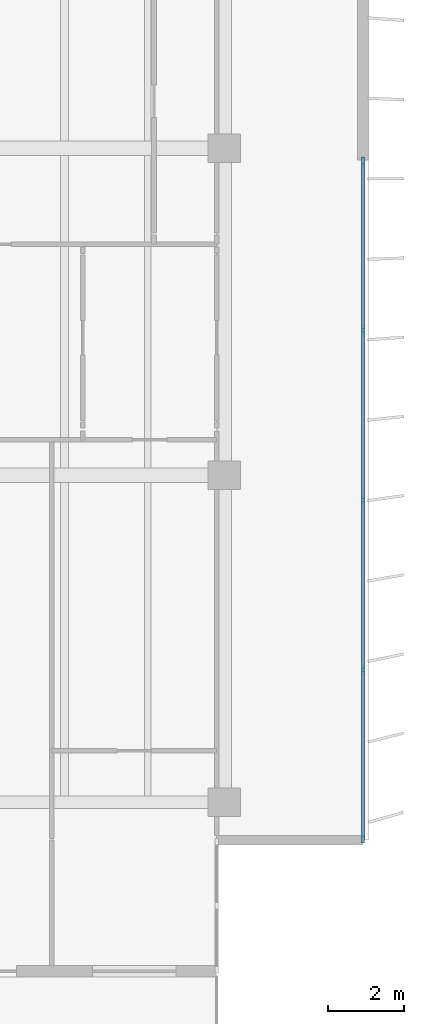
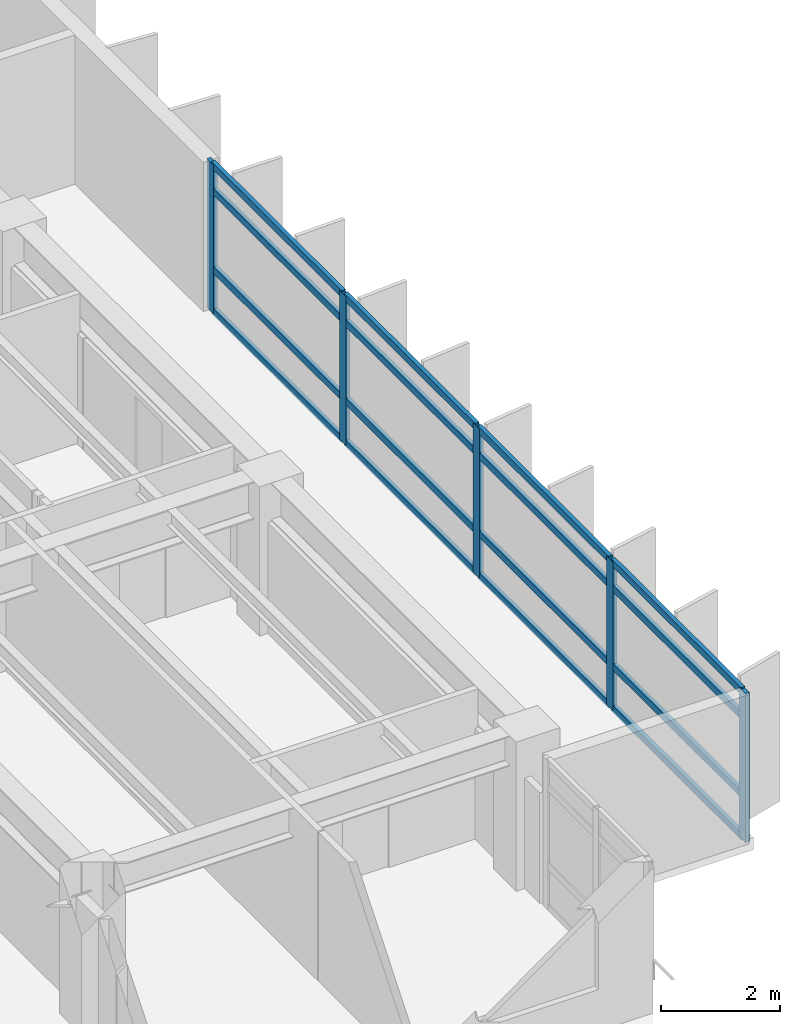
# One storey, part 6 of 19: 21 members, 1 element without a shape of its own.
"""IFC4 building model written with IfcOpenShell, lengths in metres."""

from ifc_helpers import new_model, si_unit, direction, frame, origin, origin_2d, place, context, subcontext, project, spatial, rectangle, extrude, material, layer, layer_set, material_profile, profile_set, type_object, element, aggregate, save


model = new_model("IFC4")

# Units and contexts
model_context = context("Model", 3, precision=1e-05, world=origin(), true_north=direction((0.0, 1.0)))
body_context = subcontext(model_context, "Body", "Model", "MODEL_VIEW")
ifc_project = project(units=[si_unit("LENGTHUNIT", "METRE"), si_unit("AREAUNIT", "SQUARE_METRE"), si_unit("VOLUMEUNIT", "CUBIC_METRE"), si_unit("PLANEANGLEUNIT", "RADIAN"), si_unit("MASSUNIT", "GRAM", prefix="KILO")], contexts=[model_context])

# Site, building, storey
site_placement = place(None, origin())
site = spatial("IfcSite", under=ifc_project, at=site_placement, CompositionType="ELEMENT")
building_placement = place(site_placement, origin())
building = spatial("IfcBuilding", under=site, at=building_placement, Name="Caelmar Bay Residences", CompositionType="ELEMENT")
storey_placement = place(building_placement, frame((0.0, 0.0, 191.699951171875)))
storey = spatial("IfcBuildingStorey", under=building, at=storey_placement, Name="L53", CompositionType="ELEMENT", Elevation=191.699951171875)

# Curtain wall, members
ifc_material_1 = material(Name="Anodised bronze aluminium 6063-T6 and laminated glass", Category="aluminium")
ifc_layer = layer(ifc_material_1, 0.179931640625)
ifc_layer_set = layer_set([ifc_layer], Name="Anodised bronze aluminium 6063-T6 and laminated glass")
curtain_wall_type = type_object("IfcCurtainWallType", Name="CW4-Z3", PredefinedType="NOTDEFINED", material=ifc_layer_set)
curtain_wall_placement = place(storey_placement, origin())
curtain_wall = element("IfcCurtainWall", 1, at=curtain_wall_placement, inside=storey, type_object=curtain_wall_type, Name="CW4 curtain wall L53", PredefinedType="NOTDEFINED")
ifc_material_2 = material(Name="Anodised bronze aluminium 6063-T6", Category="aluminium")
ifc_material_profile_1 = material_profile(ifc_material_2, rectangle(XDim=0.080078125, YDim=0.219970703125, at=origin_2d()), Name="CWM-80X220")
ifc_profile_set_1 = profile_set([ifc_material_profile_1], Name="Anodised bronze aluminium 6063-T6")
member_type_1 = type_object("IfcMemberType", Name="CWM-220", PredefinedType="MULLION", material=ifc_profile_set_1)
member_1_placement = place(storey_placement, frame((71.550048828125, 29.06005859375, 0.0), z_axis=(0.0, 0.0, 1.0), x_axis=(1.0, 0.0, 0.0)))
member_1 = element("IfcMember", 2, at=member_1_placement, type_object=member_type_1, Name="CW4 mullion 1", PredefinedType="MULLION", context=body_context, shape_type="SweptSolid", body=[
    extrude(rectangle(XDim=0.080078125, YDim=0.219970703125, at=origin_2d()), origin(), (0.0, 0.0, 1.0), 3.050048828125),
])
member_2_placement = place(storey_placement, frame((71.550048828125, 24.625, 0.0), z_axis=(0.0, 0.0, 1.0), x_axis=(1.0, 0.0, 0.0)))
member_2 = element("IfcMember", 3, at=member_2_placement, type_object=member_type_1, Name="CW4 mullion 2", PredefinedType="MULLION", context=body_context, shape_type="SweptSolid", body=[
    extrude(rectangle(XDim=0.080078125, YDim=0.219970703125, at=origin_2d()), origin(), (0.0, 0.0, 1.0), 3.050048828125),
])
member_3_placement = place(storey_placement, frame((71.550048828125, 20.14990234375, 0.0), z_axis=(0.0, 0.0, 1.0), x_axis=(1.0, 0.0, 0.0)))
member_3 = element("IfcMember", 4, at=member_3_placement, type_object=member_type_1, Name="CW4 mullion 3", PredefinedType="MULLION", context=body_context, shape_type="SweptSolid", body=[
    extrude(rectangle(XDim=0.080078125, YDim=0.219970703125, at=origin_2d()), origin(), (0.0, 0.0, 1.0), 3.050048828125),
])
member_4_placement = place(storey_placement, frame((71.550048828125, 15.675048828125, 0.0), z_axis=(0.0, 0.0, 1.0), x_axis=(1.0, 0.0, 0.0)))
member_4 = element("IfcMember", 5, at=member_4_placement, type_object=member_type_1, Name="CW4 mullion 4", PredefinedType="MULLION", context=body_context, shape_type="SweptSolid", body=[
    extrude(rectangle(XDim=0.080078125, YDim=0.219970703125, at=origin_2d()), origin(), (0.0, 0.0, 1.0), 3.050048828125),
])
member_5_placement = place(storey_placement, frame((71.550048828125, 11.239990234375, 0.0), z_axis=(0.0, 0.0, 1.0), x_axis=(1.0, 0.0, 0.0)))
member_5 = element("IfcMember", 6, at=member_5_placement, type_object=member_type_1, Name="CW4 mullion 5", PredefinedType="MULLION", context=body_context, shape_type="SweptSolid", body=[
    extrude(rectangle(XDim=0.080078125, YDim=0.219970703125, at=origin_2d()), origin(), (0.0, 0.0, 1.0), 3.050048828125),
])
ifc_material_profile_2 = material_profile(ifc_material_2, rectangle(XDim=0.080078125, YDim=0.139892578125, at=origin_2d()), Name="CWT-80X140")
ifc_profile_set_2 = profile_set([ifc_material_profile_2], Name="Anodised bronze aluminium 6063-T6")
member_type_2 = type_object("IfcMemberType", Name="CWT-140", PredefinedType="NOTDEFINED", material=ifc_profile_set_2)
member_6_placement = place(storey_placement, frame((71.550048828125, 29.02001953125, 0.0400390625), z_axis=(0.0, -1.0, 0.0), x_axis=(1.0, 0.0, 0.0)))
member_6 = element("IfcMember", 7, at=member_6_placement, type_object=member_type_2, Name="CW4 transom 1.1", ObjectType="TRANSOM", PredefinedType="USERDEFINED", context=body_context, shape_type="SweptSolid", body=[
    extrude(rectangle(XDim=0.080078125, YDim=0.139892578125, at=origin_2d()), origin(), (0.0, 0.0, 1.0), 4.35498046875),
])
member_7_placement = place(storey_placement, frame((71.550048828125, 29.02001953125, 0.900146484375), z_axis=(0.0, -1.0, 0.0), x_axis=(1.0, 0.0, 0.0)))
member_7 = element("IfcMember", 8, at=member_7_placement, type_object=member_type_2, Name="CW4 transom 1.2", ObjectType="TRANSOM", PredefinedType="USERDEFINED", context=body_context, shape_type="SweptSolid", body=[
    extrude(rectangle(XDim=0.080078125, YDim=0.139892578125, at=origin_2d()), origin(), (0.0, 0.0, 1.0), 4.35498046875),
])
member_8_placement = place(storey_placement, frame((71.550048828125, 29.02001953125, 2.5), z_axis=(0.0, -1.0, 0.0), x_axis=(1.0, 0.0, 0.0)))
member_8 = element("IfcMember", 9, at=member_8_placement, type_object=member_type_2, Name="CW4 transom 1.3", ObjectType="TRANSOM", PredefinedType="USERDEFINED", context=body_context, shape_type="SweptSolid", body=[
    extrude(rectangle(XDim=0.080078125, YDim=0.139892578125, at=origin_2d()), origin(), (0.0, 0.0, 1.0), 4.35498046875),
])
member_9_placement = place(storey_placement, frame((71.550048828125, 29.02001953125, 3.010009765625), z_axis=(0.0, -1.0, 0.0), x_axis=(1.0, 0.0, 0.0)))
member_9 = element("IfcMember", 10, at=member_9_placement, type_object=member_type_2, Name="CW4 transom 1.4", ObjectType="TRANSOM", PredefinedType="USERDEFINED", context=body_context, shape_type="SweptSolid", body=[
    extrude(rectangle(XDim=0.080078125, YDim=0.139892578125, at=origin_2d()), origin(), (0.0, 0.0, 1.0), 4.35498046875),
])
member_10_placement = place(storey_placement, frame((71.550048828125, 24.5849609375, 0.0400390625), z_axis=(0.0, -1.0, 0.0), x_axis=(1.0, 0.0, 0.0)))
member_10 = element("IfcMember", 11, at=member_10_placement, type_object=member_type_2, Name="CW4 transom 2.1", ObjectType="TRANSOM", PredefinedType="USERDEFINED", context=body_context, shape_type="SweptSolid", body=[
    extrude(rectangle(XDim=0.080078125, YDim=0.139892578125, at=origin_2d()), origin(), (0.0, 0.0, 1.0), 4.39501953125),
])
member_11_placement = place(storey_placement, frame((71.550048828125, 24.5849609375, 0.900146484375), z_axis=(0.0, -1.0, 0.0), x_axis=(1.0, 0.0, 0.0)))
member_11 = element("IfcMember", 12, at=member_11_placement, type_object=member_type_2, Name="CW4 transom 2.2", ObjectType="TRANSOM", PredefinedType="USERDEFINED", context=body_context, shape_type="SweptSolid", body=[
    extrude(rectangle(XDim=0.080078125, YDim=0.139892578125, at=origin_2d()), origin(), (0.0, 0.0, 1.0), 4.39501953125),
])
member_12_placement = place(storey_placement, frame((71.550048828125, 24.5849609375, 2.5), z_axis=(0.0, -1.0, 0.0), x_axis=(1.0, 0.0, 0.0)))
member_12 = element("IfcMember", 13, at=member_12_placement, type_object=member_type_2, Name="CW4 transom 2.3", ObjectType="TRANSOM", PredefinedType="USERDEFINED", context=body_context, shape_type="SweptSolid", body=[
    extrude(rectangle(XDim=0.080078125, YDim=0.139892578125, at=origin_2d()), origin(), (0.0, 0.0, 1.0), 4.39501953125),
])
member_13_placement = place(storey_placement, frame((71.550048828125, 24.5849609375, 3.010009765625), z_axis=(0.0, -1.0, 0.0), x_axis=(1.0, 0.0, 0.0)))
member_13 = element("IfcMember", 14, at=member_13_placement, type_object=member_type_2, Name="CW4 transom 2.4", ObjectType="TRANSOM", PredefinedType="USERDEFINED", context=body_context, shape_type="SweptSolid", body=[
    extrude(rectangle(XDim=0.080078125, YDim=0.139892578125, at=origin_2d()), origin(), (0.0, 0.0, 1.0), 4.39501953125),
])
member_14_placement = place(storey_placement, frame((71.550048828125, 20.110107421875, 0.0400390625), z_axis=(0.0, -1.0, 0.0), x_axis=(1.0, 0.0, 0.0)))
member_14 = element("IfcMember", 15, at=member_14_placement, type_object=member_type_2, Name="CW4 transom 3.1", ObjectType="TRANSOM", PredefinedType="USERDEFINED", context=body_context, shape_type="SweptSolid", body=[
    extrude(rectangle(XDim=0.080078125, YDim=0.139892578125, at=origin_2d()), origin(), (0.0, 0.0, 1.0), 4.39501953125),
])
member_15_placement = place(storey_placement, frame((71.550048828125, 20.110107421875, 0.900146484375), z_axis=(0.0, -1.0, 0.0), x_axis=(1.0, 0.0, 0.0)))
member_15 = element("IfcMember", 16, at=member_15_placement, type_object=member_type_2, Name="CW4 transom 3.2", ObjectType="TRANSOM", PredefinedType="USERDEFINED", context=body_context, shape_type="SweptSolid", body=[
    extrude(rectangle(XDim=0.080078125, YDim=0.139892578125, at=origin_2d()), origin(), (0.0, 0.0, 1.0), 4.39501953125),
])
member_16_placement = place(storey_placement, frame((71.550048828125, 20.110107421875, 2.5), z_axis=(0.0, -1.0, 0.0), x_axis=(1.0, 0.0, 0.0)))
member_16 = element("IfcMember", 17, at=member_16_placement, type_object=member_type_2, Name="CW4 transom 3.3", ObjectType="TRANSOM", PredefinedType="USERDEFINED", context=body_context, shape_type="SweptSolid", body=[
    extrude(rectangle(XDim=0.080078125, YDim=0.139892578125, at=origin_2d()), origin(), (0.0, 0.0, 1.0), 4.39501953125),
])
member_17_placement = place(storey_placement, frame((71.550048828125, 20.110107421875, 3.010009765625), z_axis=(0.0, -1.0, 0.0), x_axis=(1.0, 0.0, 0.0)))
member_17 = element("IfcMember", 18, at=member_17_placement, type_object=member_type_2, Name="CW4 transom 3.4", ObjectType="TRANSOM", PredefinedType="USERDEFINED", context=body_context, shape_type="SweptSolid", body=[
    extrude(rectangle(XDim=0.080078125, YDim=0.139892578125, at=origin_2d()), origin(), (0.0, 0.0, 1.0), 4.39501953125),
])
member_18_placement = place(storey_placement, frame((71.550048828125, 15.635009765625, 0.0400390625), z_axis=(0.0, -1.0, 0.0), x_axis=(1.0, 0.0, 0.0)))
member_18 = element("IfcMember", 19, at=member_18_placement, type_object=member_type_2, Name="CW4 transom 4.1", ObjectType="TRANSOM", PredefinedType="USERDEFINED", context=body_context, shape_type="SweptSolid", body=[
    extrude(rectangle(XDim=0.080078125, YDim=0.139892578125, at=origin_2d()), origin(), (0.0, 0.0, 1.0), 4.35498046875),
])
member_19_placement = place(storey_placement, frame((71.550048828125, 15.635009765625, 0.900146484375), z_axis=(0.0, -1.0, 0.0), x_axis=(1.0, 0.0, 0.0)))
member_19 = element("IfcMember", 20, at=member_19_placement, type_object=member_type_2, Name="CW4 transom 4.2", ObjectType="TRANSOM", PredefinedType="USERDEFINED", context=body_context, shape_type="SweptSolid", body=[
    extrude(rectangle(XDim=0.080078125, YDim=0.139892578125, at=origin_2d()), origin(), (0.0, 0.0, 1.0), 4.35498046875),
])
member_20_placement = place(storey_placement, frame((71.550048828125, 15.635009765625, 2.5), z_axis=(0.0, -1.0, 0.0), x_axis=(1.0, 0.0, 0.0)))
member_20 = element("IfcMember", 21, at=member_20_placement, type_object=member_type_2, Name="CW4 transom 4.3", ObjectType="TRANSOM", PredefinedType="USERDEFINED", context=body_context, shape_type="SweptSolid", body=[
    extrude(rectangle(XDim=0.080078125, YDim=0.139892578125, at=origin_2d()), origin(), (0.0, 0.0, 1.0), 4.35498046875),
])
member_21_placement = place(storey_placement, frame((71.550048828125, 15.635009765625, 3.010009765625), z_axis=(0.0, -1.0, 0.0), x_axis=(1.0, 0.0, 0.0)))
member_21 = element("IfcMember", 22, at=member_21_placement, type_object=member_type_2, Name="CW4 transom 4.4", ObjectType="TRANSOM", PredefinedType="USERDEFINED", context=body_context, shape_type="SweptSolid", body=[
    extrude(rectangle(XDim=0.080078125, YDim=0.139892578125, at=origin_2d()), origin(), (0.0, 0.0, 1.0), 4.35498046875),
])
aggregate(curtain_wall, [member_1, member_2, member_3, member_4, member_5, member_6, member_7, member_8, member_9, member_10, member_11, member_12, member_13, member_14, member_15, member_16, member_17, member_18, member_19, member_20, member_21])

save(model, "model.ifc")
